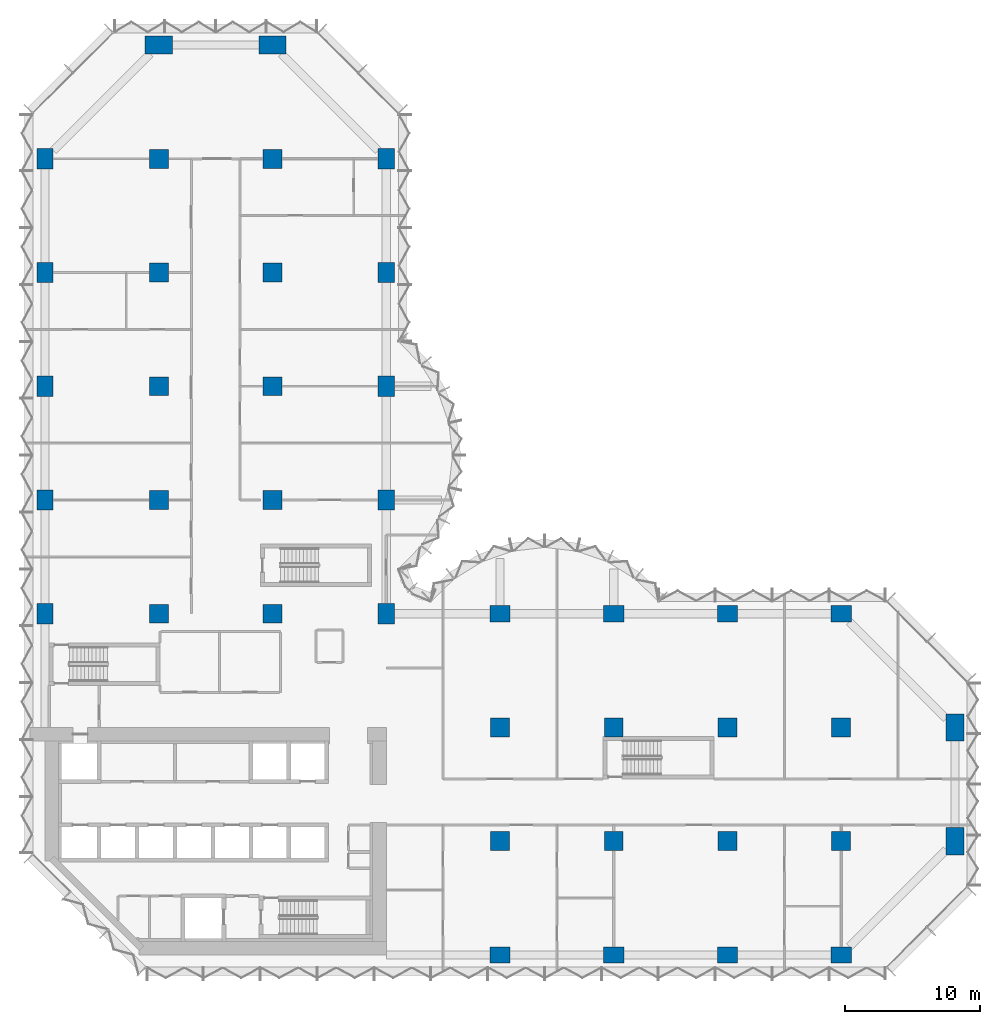
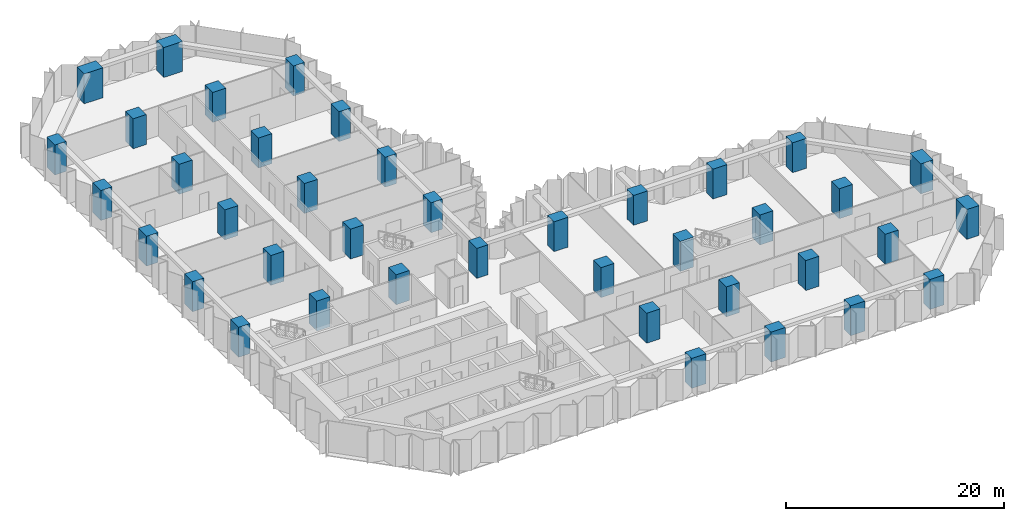
# One storey, part 1 of 15: 40 columns.
"""IFC4 building model written with IfcOpenShell, lengths in metres."""

from ifc_helpers import new_model, si_unit, direction, frame, origin, origin_2d, place, context, subcontext, project, spatial, rectangle, extrude, material, material_profile, profile_set, type_object, element, save


model = new_model("IFC4")

# Units and contexts
model_context = context("Model", 3, precision=1e-05, world=origin(), true_north=direction((0.0, 1.0)))
body_context = subcontext(model_context, "Body", "Model", "MODEL_VIEW")
ifc_project = project(units=[si_unit("LENGTHUNIT", "METRE"), si_unit("AREAUNIT", "SQUARE_METRE"), si_unit("VOLUMEUNIT", "CUBIC_METRE"), si_unit("PLANEANGLEUNIT", "RADIAN"), si_unit("MASSUNIT", "GRAM", prefix="KILO")], contexts=[model_context])

# Site, building, storey
site_placement = place(None, origin())
site = spatial("IfcSite", under=ifc_project, at=site_placement, CompositionType="ELEMENT")
building_placement = place(site_placement, origin())
building = spatial("IfcBuilding", under=site, at=building_placement, Name="Brevane Broadcast Tower", CompositionType="ELEMENT")
storey_placement = place(building_placement, frame((0.0, 0.0, 47.300048828125)))
storey = spatial("IfcBuildingStorey", under=building, at=storey_placement, Name="L09", CompositionType="ELEMENT", Elevation=47.300048828125)

# Columns
ifc_material = material(Name="Concrete C80/95", Category="concrete")
ifc_material_profile_1 = material_profile(ifc_material, rectangle(XDim=1.199951171875, YDim=1.5, at=origin_2d()), Name="RC 1200x1500")
ifc_profile_set_1 = profile_set([ifc_material_profile_1], Name="Concrete C80/95")
column_type_1 = type_object("IfcColumnType", Name="RC COLUMN EDGE 1200x1500 C80/95", PredefinedType="COLUMN", material=ifc_profile_set_1)
for number, where, z_axis, x_axis, name in (
    (1, (0.0, 25.199951171875, 0.0), (0.0, 0.0, 1.0), (1.0, 0.0, 0.0), "CE5 1/D"),
    (2, (0.0, 33.60009765625, 0.0), (0.0, 0.0, 1.0), (1.0, 0.0, 0.0), "CE5 1/E"),
    (3, (0.0, 42.0, 0.0), (0.0, 0.0, 1.0), (1.0, 0.0, 0.0), "CE5 1/F"),
    (4, (0.0, 50.39990234375, 0.0), (0.0, 0.0, 1.0), (1.0, 0.0, 0.0), "CE5 1/G"),
    (5, (0.0, 58.800048828125, 0.0), (0.0, 0.0, 1.0), (1.0, 0.0, 0.0), "CE5 1/H"),
    (6, (25.199951171875, 25.199951171875, 0.0), (0.0, 0.0, 1.0), (1.0, 0.0, 0.0), "CE5 4/D"),
    (7, (25.199951171875, 33.60009765625, 0.0), (0.0, 0.0, 1.0), (1.0, 0.0, 0.0), "CE5 4/E"),
    (8, (25.199951171875, 42.0, 0.0), (0.0, 0.0, 1.0), (1.0, 0.0, 0.0), "CE5 4/F"),
    (9, (25.199951171875, 50.39990234375, 0.0), (0.0, 0.0, 1.0), (1.0, 0.0, 0.0), "CE5 4/G"),
    (10, (25.199951171875, 58.800048828125, 0.0), (0.0, 0.0, 1.0), (1.0, 0.0, 0.0), "CE5 4/H"),
    (11, (33.60009765625, 0.0, 0.0), (0.0, 0.0, 1.0), (0.0, 1.0, 0.0), "CE5 5/A"),
    (12, (33.60009765625, 25.199951171875, 0.0), (0.0, 0.0, 1.0), (0.0, 1.0, 0.0), "CE5 5/D"),
    (13, (42.0, 0.0, 0.0), (0.0, 0.0, 1.0), (0.0, 1.0, 0.0), "CE5 6/A"),
    (14, (42.0, 25.199951171875, 0.0), (0.0, 0.0, 1.0), (0.0, 1.0, 0.0), "CE5 6/D"),
    (15, (50.39990234375, 0.0, 0.0), (0.0, 0.0, 1.0), (0.0, 1.0, 0.0), "CE5 7/A"),
    (16, (50.39990234375, 25.199951171875, 0.0), (0.0, 0.0, 1.0), (0.0, 1.0, 0.0), "CE5 7/D"),
    (17, (58.800048828125, 0.0, 0.0), (0.0, 0.0, 1.0), (0.0, 1.0, 0.0), "CE5 8/A"),
    (18, (58.800048828125, 25.199951171875, 0.0), (0.0, 0.0, 1.0), (0.0, 1.0, 0.0), "CE5 8/D"),
):
    element("IfcColumn", number, at=place(storey_placement, frame(where, z_axis=z_axis, x_axis=x_axis)), inside=storey, type_object=column_type_1, Name=name, PredefinedType="COLUMN", context=body_context, shape_type="SweptSolid", body=[
        extrude(rectangle(XDim=1.199951171875, YDim=1.5, at=origin_2d()), origin(), (0.0, 0.0, 1.0), 3.349853515625),
    ])
ifc_material_profile_2 = material_profile(ifc_material, rectangle(XDim=1.39990234375, YDim=1.39990234375, at=origin_2d()), Name="RC 1400x1400")
ifc_profile_set_2 = profile_set([ifc_material_profile_2], Name="Concrete C80/95")
column_type_2 = type_object("IfcColumnType", Name="RC COLUMN INTERIOR 1400x1400 C80/95", PredefinedType="COLUMN", material=ifc_profile_set_2)
for number, where, z_axis, x_axis, name in (
    (19, (8.39990234375, 25.199951171875, 0.0), (0.0, 0.0, 1.0), (1.0, 0.0, 0.0), "CI6 2/D"),
    (20, (8.39990234375, 33.60009765625, 0.0), (0.0, 0.0, 1.0), (1.0, 0.0, 0.0), "CI6 2/E"),
    (21, (8.39990234375, 42.0, 0.0), (0.0, 0.0, 1.0), (1.0, 0.0, 0.0), "CI6 2/F"),
    (22, (8.39990234375, 50.39990234375, 0.0), (0.0, 0.0, 1.0), (1.0, 0.0, 0.0), "CI6 2/G"),
    (23, (8.39990234375, 58.800048828125, 0.0), (0.0, 0.0, 1.0), (1.0, 0.0, 0.0), "CI6 2/H"),
    (24, (16.800048828125, 25.199951171875, 0.0), (0.0, 0.0, 1.0), (1.0, 0.0, 0.0), "CI6 3/D"),
    (25, (16.800048828125, 33.60009765625, 0.0), (0.0, 0.0, 1.0), (1.0, 0.0, 0.0), "CI6 3/E"),
    (26, (16.800048828125, 42.0, 0.0), (0.0, 0.0, 1.0), (1.0, 0.0, 0.0), "CI6 3/F"),
    (27, (16.800048828125, 50.39990234375, 0.0), (0.0, 0.0, 1.0), (1.0, 0.0, 0.0), "CI6 3/G"),
    (28, (16.800048828125, 58.800048828125, 0.0), (0.0, 0.0, 1.0), (1.0, 0.0, 0.0), "CI6 3/H"),
    (29, (33.60009765625, 8.39990234375, 0.0), (0.0, 0.0, 1.0), (1.0, 0.0, 0.0), "CI6 5/B"),
    (30, (33.60009765625, 16.800048828125, 0.0), (0.0, 0.0, 1.0), (1.0, 0.0, 0.0), "CI6 5/C"),
    (31, (42.0, 8.39990234375, 0.0), (0.0, 0.0, 1.0), (1.0, 0.0, 0.0), "CI6 6/B"),
    (32, (42.0, 16.800048828125, 0.0), (0.0, 0.0, 1.0), (1.0, 0.0, 0.0), "CI6 6/C"),
    (33, (50.39990234375, 8.39990234375, 0.0), (0.0, 0.0, 1.0), (1.0, 0.0, 0.0), "CI6 7/B"),
    (34, (50.39990234375, 16.800048828125, 0.0), (0.0, 0.0, 1.0), (1.0, 0.0, 0.0), "CI6 7/C"),
    (35, (58.800048828125, 8.39990234375, 0.0), (0.0, 0.0, 1.0), (1.0, 0.0, 0.0), "CI6 8/B"),
    (36, (58.800048828125, 16.800048828125, 0.0), (0.0, 0.0, 1.0), (1.0, 0.0, 0.0), "CI6 8/C"),
):
    element("IfcColumn", number, at=place(storey_placement, frame(where, z_axis=z_axis, x_axis=x_axis)), inside=storey, type_object=column_type_2, Name=name, PredefinedType="COLUMN", context=body_context, shape_type="SweptSolid", body=[
        extrude(rectangle(XDim=1.39990234375, YDim=1.39990234375, at=origin_2d()), origin(), (0.0, 0.0, 1.0), 3.349853515625),
    ])
ifc_material_profile_3 = material_profile(ifc_material, rectangle(XDim=1.300048828125, YDim=2.0, at=origin_2d()), Name="RC 1300x2000")
ifc_profile_set_3 = profile_set([ifc_material_profile_3], Name="Concrete C80/95")
column_type_3 = type_object("IfcColumnType", Name="RC COLUMN WING-END 1300x2000 C80/95", PredefinedType="COLUMN", material=ifc_profile_set_3)
for number, where, z_axis, x_axis, name in (
    (37, (8.39990234375, 67.199951171875, 0.0), (0.0, 0.0, 1.0), (0.0, 1.0, 0.0), "CW7 2/I"),
    (38, (16.800048828125, 67.199951171875, 0.0), (0.0, 0.0, 1.0), (0.0, 1.0, 0.0), "CW7 3/I"),
    (39, (67.199951171875, 8.39990234375, 0.0), (0.0, 0.0, 1.0), (1.0, 0.0, 0.0), "CW7 9/B"),
    (40, (67.199951171875, 16.800048828125, 0.0), (0.0, 0.0, 1.0), (1.0, 0.0, 0.0), "CW7 9/C"),
):
    element("IfcColumn", number, at=place(storey_placement, frame(where, z_axis=z_axis, x_axis=x_axis)), inside=storey, type_object=column_type_3, Name=name, PredefinedType="COLUMN", context=body_context, shape_type="SweptSolid", body=[
        extrude(rectangle(XDim=1.300048828125, YDim=2.0, at=origin_2d()), origin(), (0.0, 0.0, 1.0), 3.349853515625),
    ])

save(model, "model.ifc")
